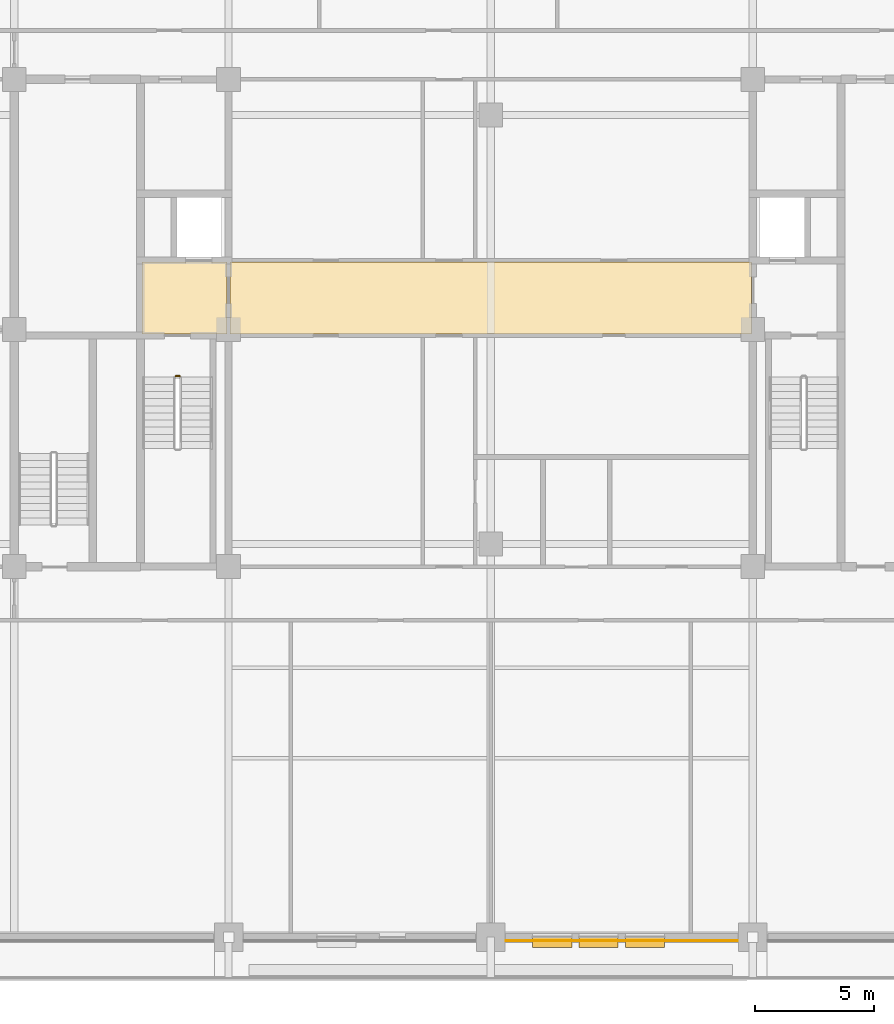
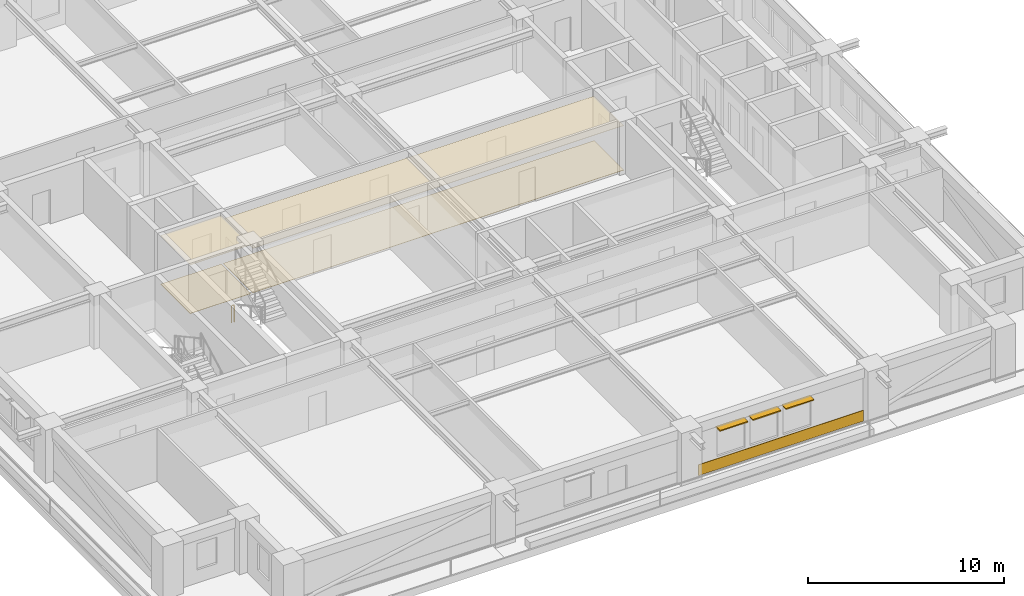
# One storey, part 12 of 14: 5 coverings, 3 shading devices, 1 railing.
"""IFC4 building model written with IfcOpenShell, lengths in metres."""

from ifc_helpers import new_model, si_unit, direction, frame, frame_2d, origin, origin_2d, place, context, subcontext, project, spatial, polyline, rectangle, outline, extrude, material, layer, layer_set, type_object, element, save


model = new_model("IFC4")

# Units and contexts
model_context = context("Model", 3, precision=1e-05, world=origin(), true_north=direction((0.0, 1.0)))
body_context = subcontext(model_context, "Body", "Model", "MODEL_VIEW")
ifc_project = project(units=[si_unit("LENGTHUNIT", "METRE"), si_unit("AREAUNIT", "SQUARE_METRE"), si_unit("VOLUMEUNIT", "CUBIC_METRE"), si_unit("PLANEANGLEUNIT", "RADIAN"), si_unit("MASSUNIT", "GRAM", prefix="KILO")], contexts=[model_context])

# Site, building, storey
site_placement = place(None, origin())
site = spatial("IfcSite", under=ifc_project, at=site_placement, CompositionType="ELEMENT")
building_placement = place(site_placement, origin())
building = spatial("IfcBuilding", under=site, at=building_placement, Name="Zulmaris Gate Convention Tower", CompositionType="ELEMENT")
storey_placement = place(building_placement, frame((0.0, 0.0, 135.6298828125)))
storey = spatial("IfcBuildingStorey", under=building, at=storey_placement, Name="L34", CompositionType="ELEMENT", Elevation=135.6298828125)

# Coverings
ifc_material_1 = material(Name="Precast concrete C40/50", Category="concrete")
ifc_layer_1 = layer(ifc_material_1, 0.0400390625, Name="Precast concrete C40/50")
ifc_layer_set_1 = layer_set([ifc_layer_1], Name="Precast concrete C40/50")
covering_type_1 = type_object("IfcCoveringType", Name="CLAD-SPANDREL-PRECAST", PredefinedType="CLADDING", material=ifc_layer_set_1)
covering_1_placement = place(storey_placement, frame((0.6298828125, -25.64990234375, 0.0), z_axis=(0.0, 0.0, 1.0), x_axis=(1.0, 0.0, 0.0)))
element("IfcCovering", 1, at=covering_1_placement, inside=storey, type_object=covering_type_1, Name="CLD-L34-S-2_0", PredefinedType="CLADDING", context=body_context, shape_type="SweptSolid", body=[
    extrude(rectangle(XDim=9.740234375, YDim=0.0400390625, at=frame_2d((4.8701171875, 0.0))), origin(), (0.0, 0.0, 1.0), 0.679931640625),
])
ifc_material_2 = material(Name="Mineral Fibre Acoustic Ceiling Tile")
ifc_layer_2 = layer(ifc_material_2, 0.02001953125, Name="Mineral Fibre Acoustic Ceiling Tile")
ifc_layer_set_2 = layer_set([ifc_layer_2], Name="Mineral Fibre Acoustic Ceiling Tile")
covering_type_2 = type_object("IfcCoveringType", Name="CLG-ACOUSTIC-600", PredefinedType="CEILING", material=ifc_layer_set_2)
covering_2_placement = place(storey_placement, frame((0.0, 0.0, 3.0400390625)))
element("IfcCovering", 2, at=covering_2_placement, inside=storey, type_object=covering_type_2, Name="CLG-L34-R03", PredefinedType="CEILING", context=body_context, shape_type="SweptSolid", body=[
    extrude(outline(polyline([(-14.639892578125, -0.18994140625), (-11.06005859375, -0.18994140625), (-11.06005859375, 2.840087890625), (-14.639892578125, 2.840087890625), (-14.639892578125, -0.18994140625)])), origin(), (0.0, 0.0, 1.0), 0.02001953125),
])
covering_3_placement = place(storey_placement, frame((0.0, 0.0, 2.778076171875)))
element("IfcCovering", 3, at=covering_3_placement, inside=storey, type_object=covering_type_2, Name="CLG-L34-R27", PredefinedType="CEILING", context=body_context, shape_type="SweptSolid", body=[
    extrude(outline(polyline([(-10.93994140625, -0.18994140625), (10.93994140625, -0.18994140625), (10.93994140625, 2.840087890625), (-10.93994140625, 2.840087890625), (-10.93994140625, -0.18994140625)])), origin(), (0.0, 0.0, 1.0), 0.02001953125),
])
ifc_material_3 = material(Name="Woven Acoustic Wool Carpet Tile")
ifc_layer_3 = layer(ifc_material_3, 0.02001953125, Name="Woven Acoustic Wool Carpet Tile")
ifc_layer_set_3 = layer_set([ifc_layer_3], Name="Woven Acoustic Wool Carpet Tile")
covering_type_3 = type_object("IfcCoveringType", Name="FLR-CARPET-12", PredefinedType="FLOORING", material=ifc_layer_set_3)
covering_4_placement = place(storey_placement, origin())
element("IfcCovering", 4, at=covering_4_placement, inside=storey, type_object=covering_type_3, Name="FLR-L34-R03", PredefinedType="FLOORING", context=body_context, shape_type="SweptSolid", body=[
    extrude(outline(polyline([(-14.639892578125, -0.18994140625), (-11.06005859375, -0.18994140625), (-11.06005859375, 2.840087890625), (-14.639892578125, 2.840087890625), (-14.639892578125, -0.18994140625)])), origin(), (0.0, 0.0, 1.0), 0.02001953125),
])
covering_5_placement = place(storey_placement, origin())
element("IfcCovering", 5, at=covering_5_placement, inside=storey, type_object=covering_type_3, Name="FLR-L34-R27", PredefinedType="FLOORING", context=body_context, shape_type="SweptSolid", body=[
    extrude(outline(polyline([(-10.93994140625, -0.18994140625), (10.93994140625, -0.18994140625), (10.93994140625, 2.840087890625), (-10.93994140625, 2.840087890625), (-10.93994140625, -0.18994140625)])), origin(), (0.0, 0.0, 1.0), 0.02001953125),
])

# Railing
ifc_material_4 = material(Name="Painted Galvanised Steel", Category="steel")
railing_type = type_object("IfcRailingType", Name="RL-STG-1150", PredefinedType="GUARDRAIL", material=ifc_material_4)
railing_placement = place(storey_placement, frame((-13.219970703125, -1.949951171875, 0.0)))
element("IfcRailing", 6, at=railing_placement, inside=storey, type_object=railing_type, Name="L34 ST-1 stair guard 4", PredefinedType="GUARDRAIL", context=body_context, shape_type="SweptSolid", body=[
    extrude(rectangle(XDim=0.048095703125, YDim=0.048095703125, at=origin_2d()), frame((0.0, 0.0, 1.076171875), z_axis=(1.0, 0.0, 0.0), x_axis=(0.0, 1.0, 0.0)), (0.0, 0.0, 1.0), 0.159912109375),
    extrude(rectangle(XDim=0.0419921875, YDim=0.0419921875, at=origin_2d()), origin(), (0.0, 0.0, 1.0), 1.052001953125),
    extrude(rectangle(XDim=0.0419921875, YDim=0.0419921875, at=origin_2d()), frame((0.159912109375, 0.0, 0.0)), (0.0, 0.0, 1.0), 1.052001953125),
])

# Shading devices
ifc_material_5 = material(Name="Glazed Ceramic Terracotta", Category="masonry")
ifc_layer_4 = layer(ifc_material_5, 0.070068359375, Name="Glazed Ceramic Terracotta")
ifc_layer_set_4 = layer_set([ifc_layer_4], Name="Glazed Ceramic Terracotta")
shading_device_type = type_object("IfcShadingDeviceType", Name="SHD-SUNSHADE-TC", PredefinedType="AWNING", material=ifc_layer_set_4)
for number, where, z_axis, x_axis, name in (
    (7, (1.7529296875, -25.719970703125, 2.530029296875), (0.0, 0.0, 1.0), (1.0, 0.0, 0.0), "SHD-EW-L34-S-2_0-1"),
    (8, (3.700927734375, -25.719970703125, 2.530029296875), (0.0, 0.0, 1.0), (1.0, 0.0, 0.0), "SHD-EW-L34-S-2_0-2"),
    (9, (5.64892578125, -25.719970703125, 2.530029296875), (0.0, 0.0, 1.0), (1.0, 0.0, 0.0), "SHD-EW-L34-S-2_0-3"),
):
    element("IfcShadingDevice", number, at=place(storey_placement, frame(where, z_axis=z_axis, x_axis=x_axis)), inside=storey, type_object=shading_device_type, Name=name, PredefinedType="AWNING", context=body_context, shape_type="SweptSolid", body=[
        extrude(rectangle(XDim=1.650146484375, YDim=0.43994140625, at=frame_2d((0.8251953125, 0.0))), origin(), (0.0, 0.0, 1.0), 0.070068359375),
    ])

save(model, "model.ifc")
